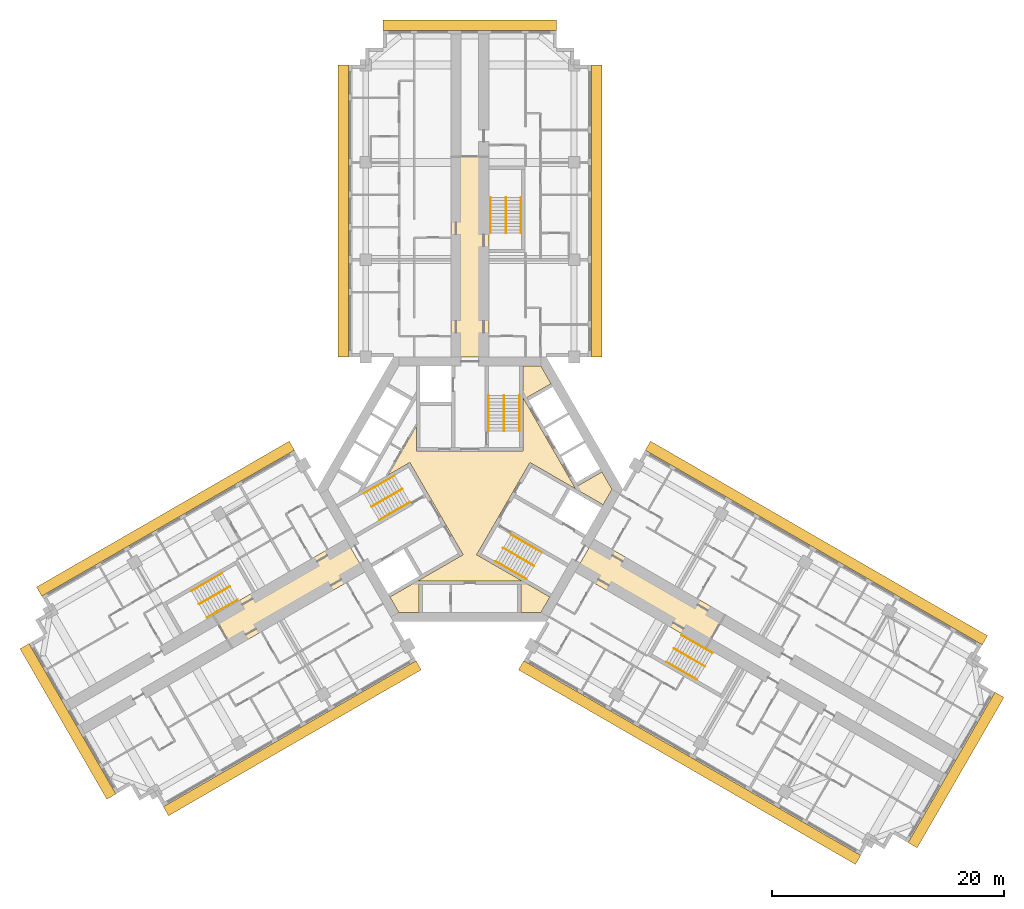
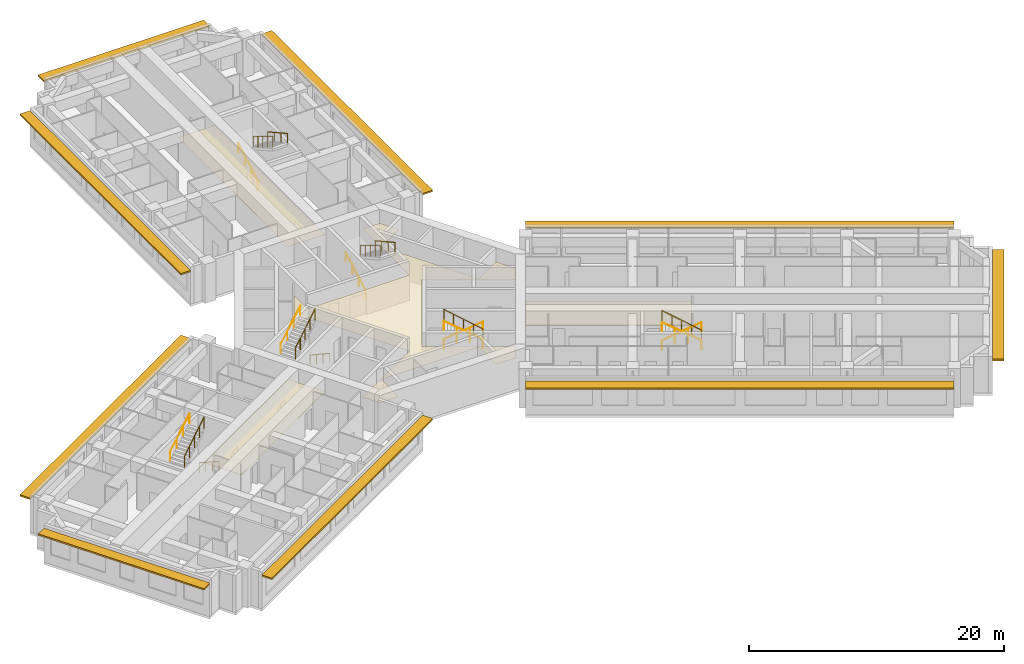
# One storey, part 14 of 14: 18 railings, 4 coverings, 3 shading devices.
"""IFC4 building model written with IfcOpenShell, lengths in metres."""

from ifc_helpers import new_model, si_unit, direction, frame, origin, origin_2d, place, context, subcontext, project, spatial, polyline, rectangle, circle, outline, extrude, material, layer, layer_set, type_object, element, save


model = new_model("IFC4")

# Units and contexts
model_context = context("Model", 3, precision=1e-05, world=origin(), true_north=direction((0.0, 1.0)))
body_context = subcontext(model_context, "Body", "Model", "MODEL_VIEW")
ifc_project = project(units=[si_unit("LENGTHUNIT", "METRE"), si_unit("AREAUNIT", "SQUARE_METRE"), si_unit("VOLUMEUNIT", "CUBIC_METRE"), si_unit("PLANEANGLEUNIT", "RADIAN"), si_unit("MASSUNIT", "GRAM", prefix="KILO")], contexts=[model_context])

# Site, building, storey
site_placement = place(None, origin())
site = spatial("IfcSite", under=ifc_project, at=site_placement, CompositionType="ELEMENT")
building_placement = place(site_placement, origin())
building = spatial("IfcBuilding", under=site, at=building_placement, Name="Impinga Residences", CompositionType="ELEMENT")
storey_placement = place(building_placement, frame((0.0, 0.0, 154.75)))
storey = spatial("IfcBuildingStorey", under=building, at=storey_placement, Name="L38", CompositionType="ELEMENT", Elevation=154.75)

# Coverings
ifc_material_1 = material(Name="Plasterboard 15 mm on steel hangers", Category="steel")
ifc_layer_1 = layer(ifc_material_1, 0.014892578125)
ifc_layer_set_1 = layer_set([ifc_layer_1], Name="Plasterboard 15 mm on steel hangers")
covering_type_1 = type_object("IfcCoveringType", Name="CL1 corridor ceiling, 15 mm plasterboard on hangers", PredefinedType="CEILING", material=ifc_layer_set_1)
covering_1_placement = place(storey_placement, frame((0.0, 0.0, 2.39990234375)))
element("IfcCovering", 1, at=covering_1_placement, inside=storey, type_object=covering_type_1, Name="Corridor ceiling CL1 L38-N00", PredefinedType="CEILING", context=body_context, shape_type="SweptSolid", body=[
    extrude(outline(polyline([(1.64990234375, 11.431640625), (-1.64990234375, 11.431640625), (-1.64990234375, 28.679931640625), (1.64990234375, 28.679931640625), (1.64990234375, 11.431640625)])), origin(), (0.0, 0.0, 1.0), 0.01513671875),
])
covering_2_placement = place(storey_placement, frame((0.0, 0.0, 2.39990234375)))
element("IfcCovering", 2, at=covering_2_placement, inside=storey, type_object=covering_type_1, Name="Corridor ceiling CL1 L38-W00", PredefinedType="CEILING", context=body_context, shape_type="SweptSolid", body=[
    extrude(outline(polyline([(-9.074951171875, -7.144775390625), (-10.72509765625, -4.286865234375), (-22.11328125, -10.86181640625), (-20.463134765625, -13.7197265625), (-9.074951171875, -7.144775390625)])), origin(), (0.0, 0.0, 1.0), 0.01513671875),
])
covering_3_placement = place(storey_placement, frame((0.0, 0.0, 2.39990234375)))
element("IfcCovering", 3, at=covering_3_placement, inside=storey, type_object=covering_type_1, Name="Corridor ceiling CL1 L38-E00", PredefinedType="CEILING", context=body_context, shape_type="SweptSolid", body=[
    extrude(outline(polyline([(9.074951171875, -7.144775390625), (10.72509765625, -4.286865234375), (21.999267578125, -10.796142578125), (20.349365234375, -13.654052734375), (9.074951171875, -7.144775390625)])), origin(), (0.0, 0.0, 1.0), 0.01513671875),
])
ifc_material_2 = material(Name="Mineral fibre tiles 20 mm on exposed grid", Category="mineral fibre")
ifc_layer_2 = layer(ifc_material_2, 0.02001953125)
ifc_layer_set_2 = layer_set([ifc_layer_2], Name="CL2 lift lobby ceiling, 20 mm mineral fibre tiles")
covering_type_2 = type_object("IfcCoveringType", Name="CL2 lift lobby ceiling, 20 mm mineral fibre tiles", PredefinedType="CEILING", material=ifc_layer_set_2)
covering_4_placement = place(storey_placement, frame((0.0, 0.0, 2.39990234375)))
element("IfcCovering", 4, at=covering_4_placement, inside=storey, type_object=covering_type_2, Name="Lift lobby ceiling CL2 L38-C01", PredefinedType="CEILING", context=body_context, shape_type="SweptSolid", body=[
    extrude(outline(polyline([(5.183837890625, 2.318603515625), (0.583984375, -5.648681640625), (6.9072265625, -9.299560546875), (6.13818359375, -10.631591796875), (4.39990234375, -10.631591796875), (4.39990234375, -7.931640625), (-4.39990234375, -7.931640625), (-4.39990234375, -10.631591796875), (-6.13818359375, -10.631591796875), (-6.9072265625, -9.299560546875), (-0.583984375, -5.648681640625), (-5.183837890625, 2.318603515625), (-7.059326171875, 1.23583984375), (-4.60009765625, 5.49560546875), (-4.60009765625, 3.330078125), (4.60009765625, 3.330078125), (4.60009765625, 10.631591796875), (6.13818359375, 10.631591796875), (7.007080078125, 9.126220703125), (4.6689453125, 7.7763671875), (9.06884765625, 0.1552734375), (11.4072265625, 1.50537109375), (12.276123046875, 0.0), (11.507080078125, -1.33203125), (5.183837890625, 2.318603515625)])), origin(), (0.0, 0.0, 1.0), 0.02001953125),
])

# Railings
ifc_material_3 = material(Name="Steel guard, powder coated", Category="steel")
railing_type_1 = type_object("IfcRailingType", Name="GR1 stair guard 1100", PredefinedType="GUARDRAIL", material=ifc_material_3)
railing_1_placement = place(storey_placement, frame((2.949951171875, 8.110107421875, 1.875)))
element("IfcRailing", 5, at=railing_1_placement, inside=storey, type_object=railing_type_1, Name="Stair guard GR1 ST1 L38", PredefinedType="GUARDRAIL", context=body_context, shape_type="SweptSolid", body=[
    extrude(circle(Radius=0.02392578125, at=origin_2d()), frame((0.0, 0.0, 1.076171875), z_axis=(0.0, -0.854177636135, 0.519981313056), x_axis=(1.0, 0.0, 0.0)), (0.0, 0.0, 1.0), 3.60595703125),
    extrude(circle(Radius=0.02099609375, at=origin_2d()), origin(), (0.0, 0.0, 1.0), 1.052001953125),
    extrude(circle(Radius=0.02099609375, at=origin_2d()), frame((0.0, -0.77001953125, 0.46875)), (0.0, 0.0, 1.0), 1.052001953125),
    extrude(circle(Radius=0.02099609375, at=origin_2d()), frame((0.0, -1.5400390625, 0.9375)), (0.0, 0.0, 1.0), 1.052001953125),
    extrude(circle(Radius=0.02099609375, at=origin_2d()), frame((0.0, -2.31005859375, 1.40625)), (0.0, 0.0, 1.0), 1.052001953125),
    extrude(circle(Radius=0.02099609375, at=origin_2d()), frame((0.0, -3.080078125, 1.875)), (0.0, 0.0, 1.0), 1.052001953125),
])
railing_2_placement = place(storey_placement, frame((-8.49853515625, -1.500244140625, 1.875)))
element("IfcRailing", 6, at=railing_2_placement, inside=storey, type_object=railing_type_1, Name="Stair guard GR1 ST2 L38", PredefinedType="GUARDRAIL", context=body_context, shape_type="SweptSolid", body=[
    extrude(circle(Radius=0.02392578125, at=origin_2d()), frame((0.0, 0.0, 1.076171875), z_axis=(0.739746383972, 0.427084037168, 0.519975492303), x_axis=(-0.499992328818, 0.866029832698, 0.0)), (0.0, 0.0, 1.0), 3.60595703125),
    extrude(circle(Radius=0.02099609375, at=origin_2d()), origin(), (0.0, 0.0, 1.0), 1.052001953125),
    extrude(circle(Radius=0.02099609375, at=origin_2d()), frame((0.6669921875, 0.385009765625, 0.46875)), (0.0, 0.0, 1.0), 1.052001953125),
    extrude(circle(Radius=0.02099609375, at=origin_2d()), frame((1.333740234375, 0.77001953125, 0.9375)), (0.0, 0.0, 1.0), 1.052001953125),
    extrude(circle(Radius=0.02099609375, at=origin_2d()), frame((2.00048828125, 1.155029296875, 1.40625)), (0.0, 0.0, 1.0), 1.052001953125),
    extrude(circle(Radius=0.02099609375, at=origin_2d()), frame((2.66748046875, 1.5400390625, 1.875)), (0.0, 0.0, 1.0), 1.052001953125),
])
railing_3_placement = place(storey_placement, frame((5.548583984375, -6.60986328125, 1.875)))
element("IfcRailing", 7, at=railing_3_placement, inside=storey, type_object=railing_type_1, Name="Stair guard GR1 ST3 L38", PredefinedType="GUARDRAIL", context=body_context, shape_type="SweptSolid", body=[
    extrude(circle(Radius=0.02392578125, at=origin_2d()), frame((0.0, 0.0, 1.076171875), z_axis=(-0.739746383972, 0.427084037168, 0.519975492303), x_axis=(-0.499992328818, -0.866029832698, 0.0)), (0.0, 0.0, 1.0), 3.60595703125),
    extrude(circle(Radius=0.02099609375, at=origin_2d()), origin(), (0.0, 0.0, 1.0), 1.052001953125),
    extrude(circle(Radius=0.02099609375, at=origin_2d()), frame((-0.6669921875, 0.385009765625, 0.46875)), (0.0, 0.0, 1.0), 1.052001953125),
    extrude(circle(Radius=0.02099609375, at=origin_2d()), frame((-1.333740234375, 0.77001953125, 0.9375)), (0.0, 0.0, 1.0), 1.052001953125),
    extrude(circle(Radius=0.02099609375, at=origin_2d()), frame((-2.00048828125, 1.155029296875, 1.40625)), (0.0, 0.0, 1.0), 1.052001953125),
    extrude(circle(Radius=0.02099609375, at=origin_2d()), frame((-2.66748046875, 1.5400390625, 1.875)), (0.0, 0.0, 1.0), 1.052001953125),
])
railing_4_placement = place(storey_placement, frame((3.10009765625, 25.21142578125, 1.875)))
element("IfcRailing", 8, at=railing_4_placement, inside=storey, type_object=railing_type_1, Name="Stair guard GR1 WS1 L38", PredefinedType="GUARDRAIL", context=body_context, shape_type="SweptSolid", body=[
    extrude(circle(Radius=0.02392578125, at=origin_2d()), frame((0.0, 0.0, 1.076171875), z_axis=(0.0, -0.854159328187, 0.520011386482), x_axis=(1.0, 0.0, 0.0)), (0.0, 0.0, 1.0), 3.605712890625),
    extrude(circle(Radius=0.02099609375, at=origin_2d()), origin(), (0.0, 0.0, 1.0), 1.052001953125),
    extrude(circle(Radius=0.02099609375, at=origin_2d()), frame((0.0, -0.77001953125, 0.46875)), (0.0, 0.0, 1.0), 1.052001953125),
    extrude(circle(Radius=0.02099609375, at=origin_2d()), frame((0.0, -1.5400390625, 0.9375)), (0.0, 0.0, 1.0), 1.052001953125),
    extrude(circle(Radius=0.02099609375, at=origin_2d()), frame((0.0, -2.309814453125, 1.40625)), (0.0, 0.0, 1.0), 1.052001953125),
    extrude(circle(Radius=0.02099609375, at=origin_2d()), frame((0.0, -3.079833984375, 1.875)), (0.0, 0.0, 1.0), 1.052001953125),
])
railing_5_placement = place(storey_placement, frame((-23.3837890625, -9.921142578125, 1.875)))
element("IfcRailing", 9, at=railing_5_placement, inside=storey, type_object=railing_type_1, Name="Stair guard GR1 WS2 L38", PredefinedType="GUARDRAIL", context=body_context, shape_type="SweptSolid", body=[
    extrude(circle(Radius=0.02392578125, at=origin_2d()), frame((0.0, 0.0, 1.076171875), z_axis=(0.739715726454, 0.427105428144, 0.52000153585), x_axis=(-0.500026652407, 0.866010015463, 0.0)), (0.0, 0.0, 1.0), 3.605712890625),
    extrude(circle(Radius=0.02099609375, at=origin_2d()), origin(), (0.0, 0.0, 1.0), 1.052001953125),
    extrude(circle(Radius=0.02099609375, at=origin_2d()), frame((0.666748046875, 0.385009765625, 0.46875)), (0.0, 0.0, 1.0), 1.052001953125),
    extrude(circle(Radius=0.02099609375, at=origin_2d()), frame((1.33349609375, 0.77001953125, 0.9375)), (0.0, 0.0, 1.0), 1.052001953125),
    extrude(circle(Radius=0.02099609375, at=origin_2d()), frame((2.00048828125, 1.155029296875, 1.40625)), (0.0, 0.0, 1.0), 1.052001953125),
    extrude(circle(Radius=0.02099609375, at=origin_2d()), frame((2.667236328125, 1.5400390625, 1.875)), (0.0, 0.0, 1.0), 1.052001953125),
])
railing_6_placement = place(storey_placement, frame((20.283935546875, -15.29052734375, 1.875)))
element("IfcRailing", 10, at=railing_6_placement, inside=storey, type_object=railing_type_1, Name="Stair guard GR1 WS3 L38", PredefinedType="GUARDRAIL", context=body_context, shape_type="SweptSolid", body=[
    extrude(circle(Radius=0.02392578125, at=origin_2d()), frame((0.0, 0.0, 1.076171875), z_axis=(-0.739746383972, 0.427084037168, 0.519975492303), x_axis=(-0.499992328818, -0.866029832698, 0.0)), (0.0, 0.0, 1.0), 3.60595703125),
    extrude(circle(Radius=0.02099609375, at=origin_2d()), origin(), (0.0, 0.0, 1.0), 1.052001953125),
    extrude(circle(Radius=0.02099609375, at=origin_2d()), frame((-0.6669921875, 0.385009765625, 0.46875)), (0.0, 0.0, 1.0), 1.052001953125),
    extrude(circle(Radius=0.02099609375, at=origin_2d()), frame((-1.333740234375, 0.77001953125, 0.9375)), (0.0, 0.0, 1.0), 1.052001953125),
    extrude(circle(Radius=0.02099609375, at=origin_2d()), frame((-2.00048828125, 1.155029296875, 1.40625)), (0.0, 0.0, 1.0), 1.052001953125),
    extrude(circle(Radius=0.02099609375, at=origin_2d()), frame((-2.66748046875, 1.5400390625, 1.875)), (0.0, 0.0, 1.0), 1.052001953125),
])
ifc_material_4 = material(Name="Steel handrail tube 42 mm, powder coated", Category="steel")
railing_type_2 = type_object("IfcRailingType", Name="HR1 stair handrail, 42 mm steel tube, 900 above the pitch line", PredefinedType="HANDRAIL", material=ifc_material_4)
railing_7_placement = place(storey_placement, frame((1.62109375, 5.030029296875, 0.15625)))
element("IfcRailing", 11, at=railing_7_placement, inside=storey, type_object=railing_type_2, Name="Stair handrail HR1 ST1 L38", PredefinedType="HANDRAIL", context=body_context, shape_type="SweptSolid", body=[
    extrude(circle(Radius=0.02099609375, at=origin_2d()), frame((0.0, 0.0, 0.87890625), z_axis=(0.0, 0.873241540666, 0.487287606713), x_axis=(-1.0, 0.0, 0.0)), (0.0, 0.0, 1.0), 3.527099609375),
    extrude(circle(Radius=0.012451171875, at=origin_2d()), origin(), (0.0, 0.0, 1.0), 0.85791015625),
    extrude(circle(Radius=0.012451171875, at=origin_2d()), frame((0.0, 1.026611328125, 0.572998046875)), (0.0, 0.0, 1.0), 0.85791015625),
    extrude(circle(Radius=0.012451171875, at=origin_2d()), frame((0.0, 2.053466796875, 1.145751953125)), (0.0, 0.0, 1.0), 0.85791015625),
    extrude(circle(Radius=0.012451171875, at=origin_2d()), frame((0.0, 3.080078125, 1.71875)), (0.0, 0.0, 1.0), 0.85791015625),
])
railing_8_placement = place(storey_placement, frame((4.279052734375, 8.110107421875, 2.03125)))
element("IfcRailing", 12, at=railing_8_placement, inside=storey, type_object=railing_type_2, Name="Stair handrail HR1 ST1 L38", PredefinedType="HANDRAIL", context=body_context, shape_type="SweptSolid", body=[
    extrude(circle(Radius=0.02099609375, at=origin_2d()), frame((0.0, 0.0, 0.87890625), z_axis=(0.0, -0.873241540666, 0.487287606713), x_axis=(1.0, 0.0, 0.0)), (0.0, 0.0, 1.0), 3.527099609375),
    extrude(circle(Radius=0.012451171875, at=origin_2d()), origin(), (0.0, 0.0, 1.0), 0.85791015625),
    extrude(circle(Radius=0.012451171875, at=origin_2d()), frame((0.0, -1.026611328125, 0.572998046875)), (0.0, 0.0, 1.0), 0.85791015625),
    extrude(circle(Radius=0.012451171875, at=origin_2d()), frame((0.0, -2.053466796875, 1.145751953125)), (0.0, 0.0, 1.0), 0.85791015625),
    extrude(circle(Radius=0.012451171875, at=origin_2d()), frame((0.0, -3.080078125, 1.71875)), (0.0, 0.0, 1.0), 0.85791015625),
])
railing_9_placement = place(storey_placement, frame((-5.16650390625, -1.111083984375, 0.15625)))
element("IfcRailing", 13, at=railing_9_placement, inside=storey, type_object=railing_type_2, Name="Stair handrail HR1 ST2 L38", PredefinedType="HANDRAIL", context=body_context, shape_type="SweptSolid", body=[
    extrude(circle(Radius=0.02099609375, at=origin_2d()), frame((0.0, 0.0, 0.87890625), z_axis=(-0.756255980417, -0.436615662133, 0.487281905742), x_axis=(0.499992328818, -0.866029832698, 0.0)), (0.0, 0.0, 1.0), 3.527099609375),
    extrude(circle(Radius=0.012451171875, at=origin_2d()), origin(), (0.0, 0.0, 1.0), 0.85791015625),
    extrude(circle(Radius=0.012451171875, at=origin_2d()), frame((-0.88916015625, -0.513427734375, 0.572998046875)), (0.0, 0.0, 1.0), 0.85791015625),
    extrude(circle(Radius=0.012451171875, at=origin_2d()), frame((-1.7783203125, -1.026611328125, 1.145751953125)), (0.0, 0.0, 1.0), 0.85791015625),
    extrude(circle(Radius=0.012451171875, at=origin_2d()), frame((-2.66748046875, -1.5400390625, 1.71875)), (0.0, 0.0, 1.0), 0.85791015625),
])
railing_10_placement = place(storey_placement, frame((-9.1630859375, -0.349365234375, 2.03125)))
element("IfcRailing", 14, at=railing_10_placement, inside=storey, type_object=railing_type_2, Name="Stair handrail HR1 ST2 L38", PredefinedType="HANDRAIL", context=body_context, shape_type="SweptSolid", body=[
    extrude(circle(Radius=0.02099609375, at=origin_2d()), frame((0.0, 0.0, 0.87890625), z_axis=(0.756255980417, 0.436615662133, 0.487281905742), x_axis=(-0.499992328818, 0.866029832698, 0.0)), (0.0, 0.0, 1.0), 3.527099609375),
    extrude(circle(Radius=0.012451171875, at=origin_2d()), origin(), (0.0, 0.0, 1.0), 0.85791015625),
    extrude(circle(Radius=0.012451171875, at=origin_2d()), frame((0.88916015625, 0.513427734375, 0.572998046875)), (0.0, 0.0, 1.0), 0.85791015625),
    extrude(circle(Radius=0.012451171875, at=origin_2d()), frame((1.7783203125, 1.026611328125, 1.145751953125)), (0.0, 0.0, 1.0), 0.85791015625),
    extrude(circle(Radius=0.012451171875, at=origin_2d()), frame((2.66748046875, 1.5400390625, 1.71875)), (0.0, 0.0, 1.0), 0.85791015625),
])
railing_11_placement = place(storey_placement, frame((3.545654296875, -3.9189453125, 0.15625)))
element("IfcRailing", 15, at=railing_11_placement, inside=storey, type_object=railing_type_2, Name="Stair handrail HR1 ST3 L38", PredefinedType="HANDRAIL", context=body_context, shape_type="SweptSolid", body=[
    extrude(circle(Radius=0.02099609375, at=origin_2d()), frame((0.0, 0.0, 0.87890625), z_axis=(0.756249203677, -0.436582492228, 0.487322141317), x_axis=(0.499967199496, 0.866044340336, 0.0)), (0.0, 0.0, 1.0), 3.52685546875),
    extrude(circle(Radius=0.012451171875, at=origin_2d()), origin(), (0.0, 0.0, 1.0), 0.85791015625),
    extrude(circle(Radius=0.012451171875, at=origin_2d()), frame((0.88916015625, -0.51318359375, 0.572998046875)), (0.0, 0.0, 1.0), 0.85791015625),
    extrude(circle(Radius=0.012451171875, at=origin_2d()), frame((1.778076171875, -1.026611328125, 1.145751953125)), (0.0, 0.0, 1.0), 0.85791015625),
    extrude(circle(Radius=0.012451171875, at=origin_2d()), frame((2.667236328125, -1.539794921875, 1.71875)), (0.0, 0.0, 1.0), 0.85791015625),
])
railing_12_placement = place(storey_placement, frame((4.884033203125, -7.7607421875, 2.03125)))
element("IfcRailing", 16, at=railing_12_placement, inside=storey, type_object=railing_type_2, Name="Stair handrail HR1 ST3 L38", PredefinedType="HANDRAIL", context=body_context, shape_type="SweptSolid", body=[
    extrude(circle(Radius=0.02099609375, at=origin_2d()), frame((0.0, 0.0, 0.87890625), z_axis=(-0.756255980417, 0.436615662133, 0.487281905742), x_axis=(-0.499992328818, -0.866029832698, 0.0)), (0.0, 0.0, 1.0), 3.527099609375),
    extrude(circle(Radius=0.012451171875, at=origin_2d()), origin(), (0.0, 0.0, 1.0), 0.85791015625),
    extrude(circle(Radius=0.012451171875, at=origin_2d()), frame((-0.88916015625, 0.513427734375, 0.572998046875)), (0.0, 0.0, 1.0), 0.85791015625),
    extrude(circle(Radius=0.012451171875, at=origin_2d()), frame((-1.7783203125, 1.026611328125, 1.145751953125)), (0.0, 0.0, 1.0), 0.85791015625),
    extrude(circle(Radius=0.012451171875, at=origin_2d()), frame((-2.66748046875, 1.5400390625, 1.71875)), (0.0, 0.0, 1.0), 0.85791015625),
])
railing_13_placement = place(storey_placement, frame((1.77099609375, 22.131591796875, 0.15625)))
element("IfcRailing", 17, at=railing_13_placement, inside=storey, type_object=railing_type_2, Name="Stair handrail HR1 WS1 L38", PredefinedType="HANDRAIL", context=body_context, shape_type="SweptSolid", body=[
    extrude(circle(Radius=0.02099609375, at=origin_2d()), frame((0.0, 0.0, 0.87890625), z_axis=(0.0, 0.873225103656, 0.487317061414), x_axis=(-1.0, 0.0, 0.0)), (0.0, 0.0, 1.0), 3.52685546875),
    extrude(circle(Radius=0.012451171875, at=origin_2d()), origin(), (0.0, 0.0, 1.0), 0.85791015625),
    extrude(circle(Radius=0.012451171875, at=origin_2d()), frame((0.0, 1.026611328125, 0.572998046875)), (0.0, 0.0, 1.0), 0.85791015625),
    extrude(circle(Radius=0.012451171875, at=origin_2d()), frame((0.0, 2.05322265625, 1.145751953125)), (0.0, 0.0, 1.0), 0.85791015625),
    extrude(circle(Radius=0.012451171875, at=origin_2d()), frame((0.0, 3.079833984375, 1.71875)), (0.0, 0.0, 1.0), 0.85791015625),
])
railing_14_placement = place(storey_placement, frame((4.428955078125, 25.21142578125, 2.03125)))
element("IfcRailing", 18, at=railing_14_placement, inside=storey, type_object=railing_type_2, Name="Stair handrail HR1 WS1 L38", PredefinedType="HANDRAIL", context=body_context, shape_type="SweptSolid", body=[
    extrude(circle(Radius=0.02099609375, at=origin_2d()), frame((0.0, 0.0, 0.87890625), z_axis=(0.0, -0.873225103656, 0.487317061414), x_axis=(1.0, 0.0, 0.0)), (0.0, 0.0, 1.0), 3.52685546875),
    extrude(circle(Radius=0.012451171875, at=origin_2d()), origin(), (0.0, 0.0, 1.0), 0.85791015625),
    extrude(circle(Radius=0.012451171875, at=origin_2d()), frame((0.0, -1.026611328125, 0.572998046875)), (0.0, 0.0, 1.0), 0.85791015625),
    extrude(circle(Radius=0.012451171875, at=origin_2d()), frame((0.0, -2.05322265625, 1.145751953125)), (0.0, 0.0, 1.0), 0.85791015625),
    extrude(circle(Radius=0.012451171875, at=origin_2d()), frame((0.0, -3.079833984375, 1.71875)), (0.0, 0.0, 1.0), 0.85791015625),
])
railing_15_placement = place(storey_placement, frame((-20.052001953125, -9.531982421875, 0.15625)))
element("IfcRailing", 19, at=railing_15_placement, inside=storey, type_object=railing_type_2, Name="Stair handrail HR1 WS2 L38", PredefinedType="HANDRAIL", context=body_context, shape_type="SweptSolid", body=[
    extrude(circle(Radius=0.02099609375, at=origin_2d()), frame((0.0, 0.0, 0.87890625), z_axis=(-0.756226348243, -0.436638517594, 0.487307413422), x_axis=(0.500026652407, -0.866010015463, 0.0)), (0.0, 0.0, 1.0), 3.527099609375),
    extrude(circle(Radius=0.012451171875, at=origin_2d()), origin(), (0.0, 0.0, 1.0), 0.85791015625),
    extrude(circle(Radius=0.012451171875, at=origin_2d()), frame((-0.88916015625, -0.513427734375, 0.572998046875)), (0.0, 0.0, 1.0), 0.85791015625),
    extrude(circle(Radius=0.012451171875, at=origin_2d()), frame((-1.778076171875, -1.026611328125, 1.145751953125)), (0.0, 0.0, 1.0), 0.85791015625),
    extrude(circle(Radius=0.012451171875, at=origin_2d()), frame((-2.667236328125, -1.5400390625, 1.71875)), (0.0, 0.0, 1.0), 0.85791015625),
])
railing_16_placement = place(storey_placement, frame((-24.04833984375, -8.77001953125, 2.03125)))
element("IfcRailing", 20, at=railing_16_placement, inside=storey, type_object=railing_type_2, Name="Stair handrail HR1 WS2 L38", PredefinedType="HANDRAIL", context=body_context, shape_type="SweptSolid", body=[
    extrude(circle(Radius=0.02099609375, at=origin_2d()), frame((0.0, 0.0, 0.87890625), z_axis=(0.756278834354, 0.436559638319, 0.487296631324), x_axis=(-0.499932877268, 0.866064153644, 0.0)), (0.0, 0.0, 1.0), 3.527099609375),
    extrude(circle(Radius=0.012451171875, at=origin_2d()), origin(), (0.0, 0.0, 1.0), 0.85791015625),
    extrude(circle(Radius=0.012451171875, at=origin_2d()), frame((0.88916015625, 0.51318359375, 0.572998046875)), (0.0, 0.0, 1.0), 0.85791015625),
    extrude(circle(Radius=0.012451171875, at=origin_2d()), frame((1.7783203125, 1.026611328125, 1.145751953125)), (0.0, 0.0, 1.0), 0.85791015625),
    extrude(circle(Radius=0.012451171875, at=origin_2d()), frame((2.66748046875, 1.539794921875, 1.71875)), (0.0, 0.0, 1.0), 0.85791015625),
])
railing_17_placement = place(storey_placement, frame((18.281005859375, -12.599609375, 0.15625)))
element("IfcRailing", 21, at=railing_17_placement, inside=storey, type_object=railing_type_2, Name="Stair handrail HR1 WS3 L38", PredefinedType="HANDRAIL", context=body_context, shape_type="SweptSolid", body=[
    extrude(circle(Radius=0.02099609375, at=origin_2d()), frame((0.0, 0.0, 0.87890625), z_axis=(0.756249203677, -0.436582492228, 0.487322141317), x_axis=(0.499967199496, 0.866044340336, 0.0)), (0.0, 0.0, 1.0), 3.52685546875),
    extrude(circle(Radius=0.012451171875, at=origin_2d()), origin(), (0.0, 0.0, 1.0), 0.85791015625),
    extrude(circle(Radius=0.012451171875, at=origin_2d()), frame((0.88916015625, -0.51318359375, 0.572998046875)), (0.0, 0.0, 1.0), 0.85791015625),
    extrude(circle(Radius=0.012451171875, at=origin_2d()), frame((1.778076171875, -1.026611328125, 1.145751953125)), (0.0, 0.0, 1.0), 0.85791015625),
    extrude(circle(Radius=0.012451171875, at=origin_2d()), frame((2.667236328125, -1.539794921875, 1.71875)), (0.0, 0.0, 1.0), 0.85791015625),
])
railing_18_placement = place(storey_placement, frame((19.619384765625, -16.44140625, 2.03125)))
element("IfcRailing", 22, at=railing_18_placement, inside=storey, type_object=railing_type_2, Name="Stair handrail HR1 WS3 L38", PredefinedType="HANDRAIL", context=body_context, shape_type="SweptSolid", body=[
    extrude(circle(Radius=0.02099609375, at=origin_2d()), frame((0.0, 0.0, 0.87890625), z_axis=(-0.756255980417, 0.436615662133, 0.487281905742), x_axis=(-0.499992328818, -0.866029832698, 0.0)), (0.0, 0.0, 1.0), 3.527099609375),
    extrude(circle(Radius=0.012451171875, at=origin_2d()), origin(), (0.0, 0.0, 1.0), 0.85791015625),
    extrude(circle(Radius=0.012451171875, at=origin_2d()), frame((-0.88916015625, 0.513427734375, 0.572998046875)), (0.0, 0.0, 1.0), 0.85791015625),
    extrude(circle(Radius=0.012451171875, at=origin_2d()), frame((-1.7783203125, 1.026611328125, 1.145751953125)), (0.0, 0.0, 1.0), 0.85791015625),
    extrude(circle(Radius=0.012451171875, at=origin_2d()), frame((-2.66748046875, 1.5400390625, 1.71875)), (0.0, 0.0, 1.0), 0.85791015625),
])

# Shading devices
ifc_material_5 = material(Name="Terracotta sunshade blades on aluminium brackets", Category="masonry")
ifc_layer_3 = layer(ifc_material_5, 0.14990234375)
ifc_layer_set_3 = layer_set([ifc_layer_3], Name="SS1 SUNSHADE terracotta sunshade band 900")
shading_device_type = type_object("IfcShadingDeviceType", Name="SS1 SUNSHADE terracotta sunshade band 900", PredefinedType="USERDEFINED", material=ifc_layer_set_3)
shading_device_1_placement = place(storey_placement, frame((-10.949951171875, 24.031494140625, 3.10009765625), z_axis=(0.0, 0.0, 1.0), x_axis=(0.0, 1.0, 0.0)))
element("IfcShadingDevice", 23, at=shading_device_1_placement, inside=storey, type_object=shading_device_type, Name="SUNSHADE band L38 NORTH WING", ObjectType="SUNSHADE", PredefinedType="USERDEFINED", context=body_context, shape_type="SweptSolid", body=[
    extrude(rectangle(XDim=25.199951171875, YDim=0.89990234375, at=origin_2d()), origin(), (0.0, 0.0, 1.0), 0.14990234375),
    extrude(rectangle(XDim=15.0, YDim=0.89990234375, at=origin_2d()), frame((16.050048828125, -10.949951171875, 0.0), z_axis=(0.0, 0.0, 1.0), x_axis=(0.0, -1.0, 0.0)), (0.0, 0.0, 1.0), 0.14990234375),
    extrude(rectangle(XDim=25.199951171875, YDim=0.89990234375, at=origin_2d()), frame((0.0, -21.89990234375, 0.0), z_axis=(0.0, 0.0, 1.0), x_axis=(-1.0, 0.0, 0.0)), (0.0, 0.0, 1.0), 0.14990234375),
])
shading_device_2_placement = place(storey_placement, frame((-15.3369140625, -21.498779296875, 3.10009765625), z_axis=(0.0, 0.0, 1.0), x_axis=(-0.866025403784, -0.5, 0.0)))
element("IfcShadingDevice", 24, at=shading_device_2_placement, inside=storey, type_object=shading_device_type, Name="SUNSHADE band L38 WEST WING", ObjectType="SUNSHADE", PredefinedType="USERDEFINED", context=body_context, shape_type="SweptSolid", body=[
    extrude(rectangle(XDim=25.199951171875, YDim=0.89990234375, at=origin_2d()), origin(), (0.0, 0.0, 1.0), 0.14990234375),
    extrude(rectangle(XDim=15.0, YDim=0.89990234375, at=origin_2d()), frame((16.050048828125, -10.949951171875, 0.0), z_axis=(0.0, 0.0, 1.0), x_axis=(0.0, -1.0, 0.0)), (0.0, 0.0, 1.0), 0.14990234375),
    extrude(rectangle(XDim=25.199951171875, YDim=0.89990234375, at=origin_2d()), frame((0.0, -21.900146484375, 0.0), z_axis=(0.0, 0.0, 1.0), x_axis=(-1.0, 0.0, 0.0)), (0.0, 0.0, 1.0), 0.14990234375),
])
shading_device_3_placement = place(storey_placement, frame((41.986328125, -24.24072265625, 3.10009765625), z_axis=(0.0, 0.0, 1.0), x_axis=(-0.5, -0.866025403784, 0.0)))
element("IfcShadingDevice", 25, at=shading_device_3_placement, inside=storey, type_object=shading_device_type, Name="SUNSHADE band L38 EAST WING", ObjectType="SUNSHADE", PredefinedType="USERDEFINED", context=body_context, shape_type="SweptSolid", body=[
    extrude(rectangle(XDim=15.0, YDim=0.89990234375, at=origin_2d()), origin(), (0.0, 0.0, 1.0), 0.14990234375),
    extrude(rectangle(XDim=33.60009765625, YDim=0.89990234375, at=origin_2d()), frame((10.949951171875, -20.250244140625, 0.0), z_axis=(0.0, 0.0, 1.0), x_axis=(0.0, -1.0, 0.0)), (0.0, 0.0, 1.0), 0.14990234375),
    extrude(rectangle(XDim=33.60009765625, YDim=0.89990234375, at=origin_2d()), frame((-10.949951171875, -20.25, 0.0), z_axis=(0.0, 0.0, 1.0), x_axis=(0.0, 1.0, 0.0)), (0.0, 0.0, 1.0), 0.14990234375),
])

save(model, "model.ifc")
